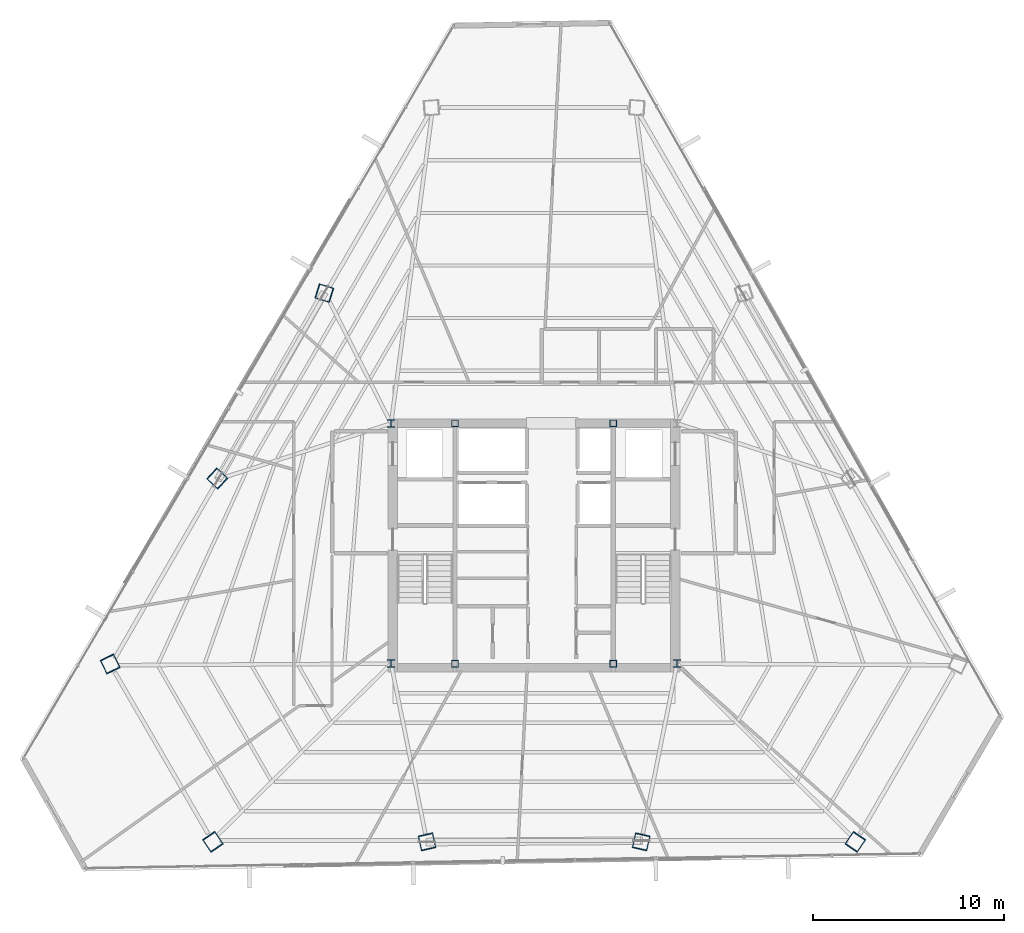
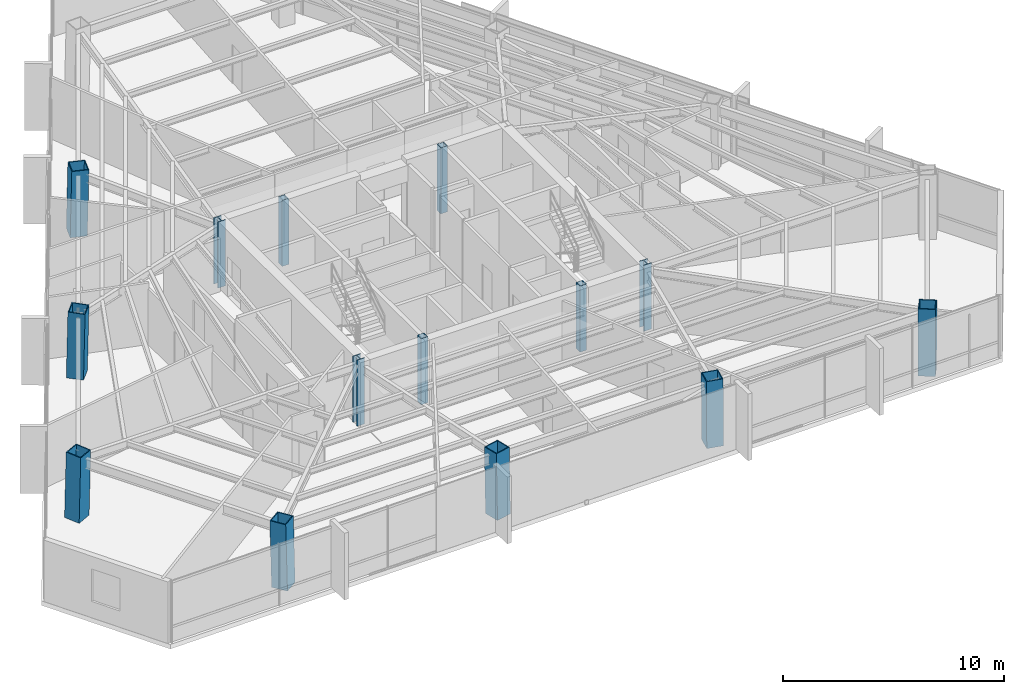
# One storey, part 1 of 42: 14 columns.
"""IFC4 building model written with IfcOpenShell, lengths in metres."""

from ifc_helpers import new_model, si_unit, direction, frame, origin, origin_2d, place, context, subcontext, project, spatial, hollow_rectangle, i_section, extrude, source, transform, mapped, material, material_profile, profile_set, type_object, type_shapes, element, save


model = new_model("IFC4")

# Units and contexts
model_context = context("Model", 3, precision=1e-05, world=origin(), true_north=direction((0.0, 1.0)))
body_context = subcontext(model_context, "Body", "Model", "MODEL_VIEW")
ifc_project = project(units=[si_unit("LENGTHUNIT", "METRE"), si_unit("AREAUNIT", "SQUARE_METRE"), si_unit("VOLUMEUNIT", "CUBIC_METRE"), si_unit("PLANEANGLEUNIT", "RADIAN"), si_unit("MASSUNIT", "GRAM", prefix="KILO")], contexts=[model_context])

# Site, building, storey
site_placement = place(None, origin())
site = spatial("IfcSite", under=ifc_project, at=site_placement, CompositionType="ELEMENT")
building_placement = place(site_placement, origin())
building = spatial("IfcBuilding", under=site, at=building_placement, Name="Caelisora Broadcast Tower", CompositionType="ELEMENT")
storey_placement = place(building_placement, frame((0.0, 0.0, 191.35009765625)))
storey = spatial("IfcBuildingStorey", under=building, at=storey_placement, Name="L50", CompositionType="ELEMENT", Elevation=191.35009765625)

# Columns
ifc_material_1 = material(Name="Steel Grade 350 (AS/NZS 3679.2)", Category="steel")
ifc_material_profile_1 = material_profile(ifc_material_1, i_section(OverallWidth=0.39990234375, OverallDepth=0.39990234375, WebThickness=0.02001953125, FlangeThickness=0.031982421875, at=origin_2d()), Name="Steel Grade 350 (AS/NZS 3679.2)")
ifc_profile_set_1 = profile_set([ifc_material_profile_1], Name="Steel Grade 350 (AS/NZS 3679.2)")
column_type_1 = type_object("IfcColumnType", Name="CC02", PredefinedType="COLUMN", material=ifc_profile_set_1)
shared_shape_1 = source(origin(), body_context, "Body", "SweptSolid", [
    extrude(i_section(OverallWidth=0.39990234375, OverallDepth=0.39990234375, WebThickness=0.02001953125, FlangeThickness=0.031982421875, at=origin_2d()), origin(), (0.0, 0.0, 1.0), 3.64990234375),
])
type_shapes(column_type_1, [shared_shape_1])
for number, where, z_axis, x_axis, name in (
    (1, (30.5, 17.39990234375, 0.0), (0.0, 0.0, 1.0), (1.0, 0.0, 0.0), "L50 column CC02"),
    (2, (45.5, 17.39990234375, 0.0), (0.0, 0.0, 1.0), (1.0, 0.0, 0.0), "L50 column CC02"),
    (3, (30.5, 30.0, 0.0), (0.0, 0.0, 1.0), (1.0, 0.0, 0.0), "L50 column CC02"),
):
    element("IfcColumn", number, at=place(storey_placement, frame(where, z_axis=z_axis, x_axis=x_axis)), inside=storey, type_object=column_type_1, Name=name, PredefinedType="COLUMN", context=body_context, shape_type="MappedRepresentation", body=[
        mapped(shared_shape_1, transform((0.0, 0.0, 0.0), scale=1.0)),
    ])
ifc_material_2 = material(Name="Steel Grade 350 (AS/NZS 1163 C350L0)", Category="steel")
ifc_material_profile_2 = material_profile(ifc_material_2, hollow_rectangle(XDim=0.35009765625, YDim=0.35009765625, WallThickness=0.01611328125, at=origin_2d()), Name="Steel Grade 350 (AS/NZS 1163 C350L0)")
ifc_profile_set_2 = profile_set([ifc_material_profile_2], Name="Steel Grade 350 (AS/NZS 1163 C350L0)")
column_type_2 = type_object("IfcColumnType", Name="CC07", PredefinedType="COLUMN", material=ifc_profile_set_2)
shared_shape_2 = source(origin(), body_context, "Body", "SweptSolid", [
    extrude(hollow_rectangle(XDim=0.35009765625, YDim=0.35009765625, WallThickness=0.01611328125, at=origin_2d()), origin(), (0.0, 0.0, 1.0), 3.64990234375),
])
type_shapes(column_type_2, [shared_shape_2])
for number, where, z_axis, x_axis, name in (
    (4, (33.85009765625, 17.39990234375, 0.0), (0.0, 0.0, 1.0), (1.0, 0.0, 0.0), "L50 column CC07"),
    (5, (42.14990234375, 17.39990234375, 0.0), (0.0, 0.0, 1.0), (1.0, 0.0, 0.0), "L50 column CC07"),
    (6, (33.85009765625, 30.0, 0.0), (0.0, 0.0, 1.0), (1.0, 0.0, 0.0), "L50 column CC07"),
    (7, (42.14990234375, 30.0, 0.0), (0.0, 0.0, 1.0), (1.0, 0.0, 0.0), "L50 column CC07"),
):
    element("IfcColumn", number, at=place(storey_placement, frame(where, z_axis=z_axis, x_axis=x_axis)), inside=storey, type_object=column_type_2, Name=name, PredefinedType="COLUMN", context=body_context, shape_type="MappedRepresentation", body=[
        mapped(shared_shape_2, transform((0.0, 0.0, 0.0), scale=1.0)),
    ])
ifc_material_3 = material(Name="Steel Grade 350 L15 (AS/NZS 3678)", Category="steel")
ifc_material_profile_3 = material_profile(ifc_material_3, hollow_rectangle(XDim=0.800048828125, YDim=0.800048828125, WallThickness=0.044921875, at=origin_2d()), Name="Steel Grade 350 L15 (AS/NZS 3678)")
ifc_profile_set_3 = profile_set([ifc_material_profile_3], Name="Steel Grade 350 L15 (AS/NZS 3678)")
column_type_3 = type_object("IfcColumnType", Name="MC05", PredefinedType="COLUMN", material=ifc_profile_set_3)
shared_shape_3 = source(origin(), body_context, "Body", "SweptSolid", [
    extrude(hollow_rectangle(XDim=0.800048828125, YDim=0.800048828125, WallThickness=0.044921875, at=origin_2d()), origin(), (0.0, 0.0, 1.0), 3.65087890625),
])
for number, where, z_axis, x_axis, name in (
    (8, (15.762451171875, 17.396484375, 0.0), (0.010364917199, -0.021599150033, 0.999712981415), (0.901566609123, 0.432640323264, 0.0), "L50 column MC05"),
    (9, (21.162109375, 8.04345703125, 0.0), (-0.013440967269, 0.019793663242, 0.999713734673), (-0.827290216258, -0.561774775229, 0.0), "L50 column MC05"),
    (10, (54.837890625, 8.04345703125, 0.0), (0.013440967269, 0.019793663242, 0.999713734673), (-0.827290216258, 0.561774775229, 0.0), "L50 column MC05"),
):
    element("IfcColumn", number, at=place(storey_placement, frame(where, z_axis=z_axis, x_axis=x_axis)), inside=storey, type_object=column_type_3, Name=name, PredefinedType="COLUMN", context=body_context, shape_type="MappedRepresentation", body=[
        mapped(shared_shape_3, transform((0.0, 0.0, 0.0), scale=1.0)),
    ])
shared_shape_4 = source(origin(), body_context, "Body", "SweptSolid", [
    extrude(hollow_rectangle(XDim=0.800048828125, YDim=0.800048828125, WallThickness=0.044921875, at=origin_2d()), origin(), (0.0, 0.0, 1.0), 3.650634765625),
])
type_shapes(column_type_3, [shared_shape_3, shared_shape_4])
for number, where, z_axis, x_axis, name in (
    (11, (26.987548828125, 36.8388671875, 0.0), (0.019393993486, -0.006018825565, 0.999793802119), (0.296399214872, 0.955064136811, 0.0), "L50 column MC05"),
    (12, (21.375, 27.11767578125, 0.0), (0.014913313399, -0.013776424037, 0.999793880369), (0.678553674548, 0.734550822447, 0.0), "L50 column MC05"),
    (13, (32.387451171875, 8.04345703125, 0.0), (-0.004480682206, 0.019795252729, 0.999794014513), (-0.975326687046, -0.220766513622, 0.0), "L50 column MC05"),
    (14, (43.612548828125, 8.04345703125, 0.0), (0.004480682206, 0.019795252729, 0.999794014513), (-0.975326687046, 0.220766513622, 0.0), "L50 column MC05"),
):
    element("IfcColumn", number, at=place(storey_placement, frame(where, z_axis=z_axis, x_axis=x_axis)), inside=storey, type_object=column_type_3, Name=name, PredefinedType="COLUMN", context=body_context, shape_type="MappedRepresentation", body=[
        mapped(shared_shape_4, transform((0.0, 0.0, 0.0), scale=1.0)),
    ])

save(model, "model.ifc")
